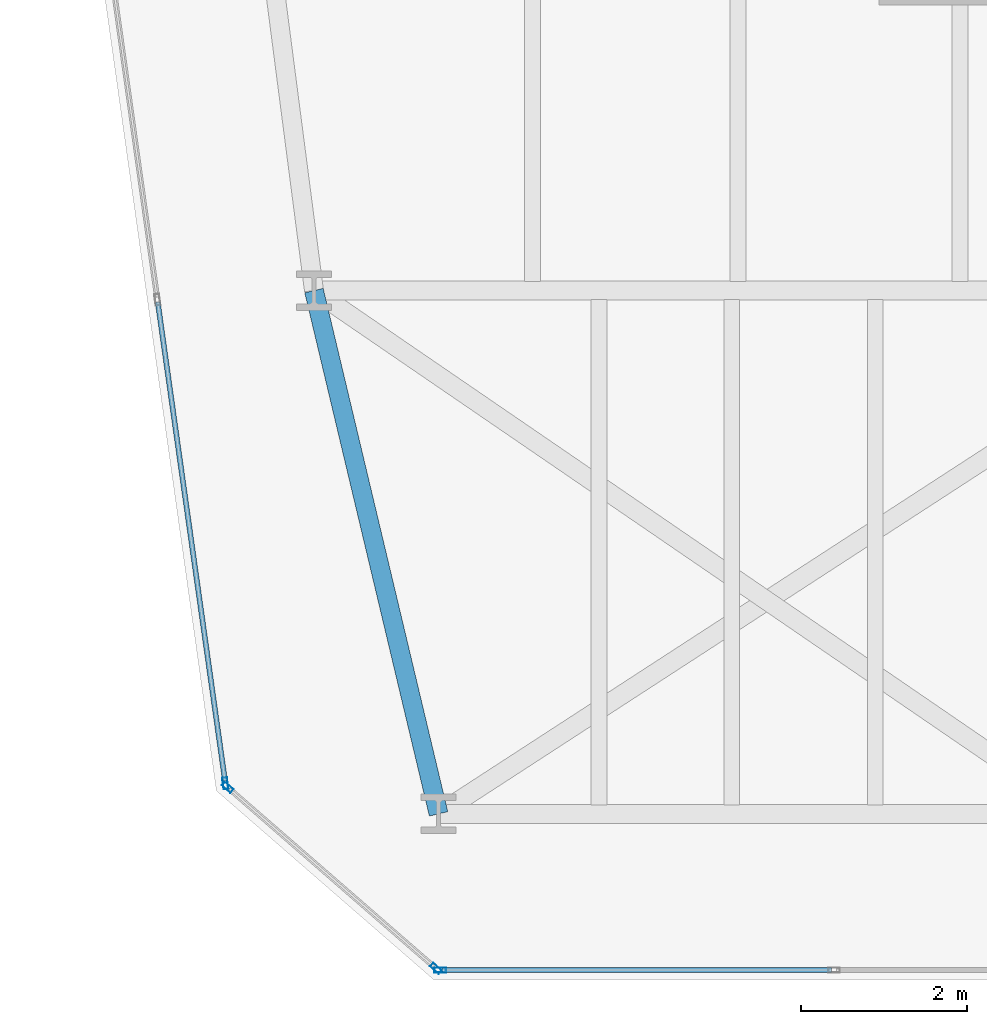
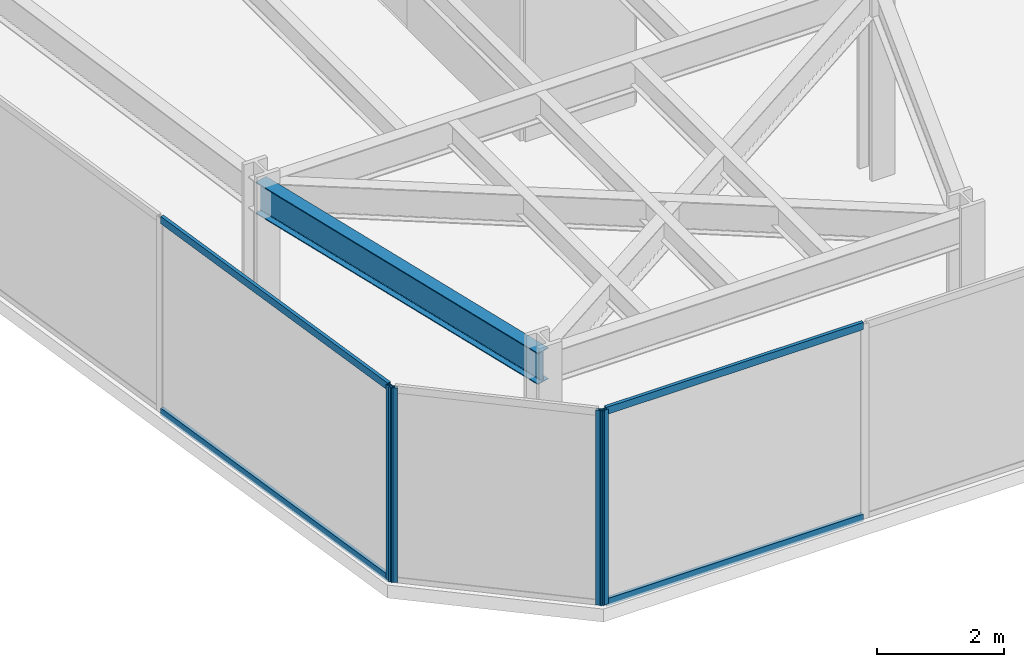
# One storey, part 2 of 26: 8 members, 1 beam, 3 elements without a shape of their own.
"""IFC4 building model written with IfcOpenShell, lengths in metres."""

from ifc_helpers import new_model, si_unit, direction, frame, origin, origin_2d, place, context, subcontext, project, spatial, hollow_rectangle, i_section, extrude, material, layer, layer_set, material_profile, profile_set, type_object, element, aggregate, save


model = new_model("IFC4")

# Units and contexts
model_context = context("Model", 3, precision=1e-05, world=origin(), true_north=direction((0.0, 1.0)))
body_context = subcontext(model_context, "Body", "Model", "MODEL_VIEW")
ifc_project = project(units=[si_unit("LENGTHUNIT", "METRE"), si_unit("AREAUNIT", "SQUARE_METRE"), si_unit("VOLUMEUNIT", "CUBIC_METRE"), si_unit("PLANEANGLEUNIT", "RADIAN"), si_unit("MASSUNIT", "GRAM", prefix="KILO")], contexts=[model_context])

# Site, building, storey
site_placement = place(None, origin())
site = spatial("IfcSite", under=ifc_project, at=site_placement, CompositionType="ELEMENT")
building_placement = place(site_placement, origin())
building = spatial("IfcBuilding", under=site, at=building_placement, Name="Kravanh Interchange Tower", CompositionType="ELEMENT")
storey_placement = place(building_placement, frame((0.0, 0.0, 112.0)))
storey = spatial("IfcBuildingStorey", under=building, at=storey_placement, Name="L26", CompositionType="ELEMENT", Elevation=112.0)

# Curtain wall, member
ifc_material_1 = material(Name="Anodised Bronze Aluminium", Category="aluminium")
ifc_layer = layer(ifc_material_1, 0.179931640625)
ifc_layer_set = layer_set([ifc_layer], Name="Unitised Curtain Wall System CW-Z2 Mid Office")
curtain_wall_type = type_object("IfcCurtainWallType", Name="Unitised Curtain Wall System CW-Z2 Mid Office", PredefinedType="NOTDEFINED", material=ifc_layer_set)
curtain_wall_1_placement = place(storey_placement, origin())
curtain_wall_1 = element("IfcCurtainWall", 1, at=curtain_wall_1_placement, inside=storey, type_object=curtain_wall_type, Name="L26 Unitised Curtain Wall CW-L26-01", PredefinedType="NOTDEFINED")
ifc_material_2 = material(Name="Anodised Bronze Aluminium", Category="aluminium")
ifc_material_profile_1 = material_profile(ifc_material_2, hollow_rectangle(XDim=0.06005859375, YDim=0.139892578125, WallThickness=0.00390625, at=origin_2d()), Name="ALU60X140X4")
ifc_profile_set_1 = profile_set([ifc_material_profile_1], Name="Anodised Bronze Aluminium")
member_type_1 = type_object("IfcMemberType", Name="Curtain Wall Mullion ALU60X140X4 Bronze", PredefinedType="MULLION", material=ifc_profile_set_1)
member_1_placement = place(storey_placement, frame((14.93310546875, 8.568359375, 0.0), z_axis=(0.0, 0.0, 1.0), x_axis=(-0.990268103846, -0.13917285118, 0.0)))
member_1 = element("IfcMember", 2, at=member_1_placement, type_object=member_type_1, Name="CW-Z2 mullion 1", PredefinedType="MULLION", context=body_context, shape_type="SweptSolid", body=[
    extrude(hollow_rectangle(XDim=0.06005859375, YDim=0.139892578125, WallThickness=0.00390625, at=origin_2d()), origin(), (0.0, 0.0, 1.0), 3.75),
])

curtain_wall_2_placement = place(storey_placement, origin())
curtain_wall_2 = element("IfcCurtainWall", 3, at=curtain_wall_2_placement, inside=storey, type_object=curtain_wall_type, Name="L26 Unitised Curtain Wall CW-L26-06", PredefinedType="NOTDEFINED")
member_2_placement = place(storey_placement, frame((17.519775390625, 6.320068359375, 0.0), z_axis=(0.0, 0.0, 1.0), x_axis=(0.0, -1.0, 0.0)))
member_2 = element("IfcMember", 4, at=member_2_placement, type_object=member_type_1, Name="CW-Z2 mullion 3", PredefinedType="MULLION", context=body_context, shape_type="SweptSolid", body=[
    extrude(hollow_rectangle(XDim=0.06005859375, YDim=0.139892578125, WallThickness=0.00390625, at=origin_2d()), origin(), (0.0, 0.0, 1.0), 3.75),
])

# Curtain wall, members
curtain_wall_3_placement = place(storey_placement, origin())
curtain_wall_3 = element("IfcCurtainWall", 5, at=curtain_wall_3_placement, inside=storey, type_object=curtain_wall_type, Name="L26 Unitised Curtain Wall CW-L26-07", PredefinedType="NOTDEFINED")
member_3_placement = place(storey_placement, frame((17.467041015625, 6.339599609375, 0.0), z_axis=(0.0, 0.0, 1.0), x_axis=(-0.656047665617, -0.754719458103, 0.0)))
member_3 = element("IfcMember", 6, at=member_3_placement, type_object=member_type_1, Name="CW-Z2 mullion 1", PredefinedType="MULLION", context=body_context, shape_type="SweptSolid", body=[
    extrude(hollow_rectangle(XDim=0.06005859375, YDim=0.139892578125, WallThickness=0.00390625, at=origin_2d()), origin(), (0.0, 0.0, 1.0), 3.75),
])
member_4_placement = place(storey_placement, frame((14.9599609375, 8.51904296875, 0.0), z_axis=(0.0, 0.0, 1.0), x_axis=(-0.656047665617, -0.754719458103, 0.0)))
member_4 = element("IfcMember", 7, at=member_4_placement, type_object=member_type_1, Name="CW-Z2 mullion 2", PredefinedType="MULLION", context=body_context, shape_type="SweptSolid", body=[
    extrude(hollow_rectangle(XDim=0.06005859375, YDim=0.139892578125, WallThickness=0.00390625, at=origin_2d()), origin(), (0.0, 0.0, 1.0), 3.75),
])
aggregate(curtain_wall_3, [member_3, member_4])

# Member
ifc_material_3 = material(Name="Anodised Bronze Aluminium", Category="aluminium")
ifc_material_profile_2 = material_profile(ifc_material_3, hollow_rectangle(XDim=0.06005859375, YDim=0.139892578125, WallThickness=0.00390625, at=origin_2d()), Name="ALU60X140X4")
ifc_profile_set_2 = profile_set([ifc_material_profile_2], Name="Anodised Bronze Aluminium")
member_type_2 = type_object("IfcMemberType", Name="Curtain Wall Transom ALU60X140X4 Bronze", PredefinedType="USERDEFINED", material=ifc_profile_set_2)
member_5_placement = place(storey_placement, frame((14.928955078125, 8.59814453125, 0.030029296875), z_axis=(-0.139148132783, 0.990271577469, 0.0), x_axis=(-0.990271577469, -0.139148132783, 0.0)))
member_5 = element("IfcMember", 8, at=member_5_placement, type_object=member_type_2, Name="CW-Z2 transom 1.1", ObjectType="TRANSOM", PredefinedType="USERDEFINED", context=body_context, shape_type="SweptSolid", body=[
    extrude(hollow_rectangle(XDim=0.06005859375, YDim=0.139892578125, WallThickness=0.00390625, at=origin_2d()), origin(), (0.0, 0.0, 1.0), 5.81982421875),
])

member_6_placement = place(storey_placement, frame((14.928955078125, 8.59814453125, 3.719970703125), z_axis=(-0.139148132783, 0.990271577469, 0.0), x_axis=(-0.990271577469, -0.139148132783, 0.0)))
member_6 = element("IfcMember", 9, at=member_6_placement, type_object=member_type_2, Name="CW-Z2 transom 1.2", ObjectType="TRANSOM", PredefinedType="USERDEFINED", context=body_context, shape_type="SweptSolid", body=[
    extrude(hollow_rectangle(XDim=0.06005859375, YDim=0.139892578125, WallThickness=0.00390625, at=origin_2d()), origin(), (0.0, 0.0, 1.0), 5.81982421875),
])

aggregate(curtain_wall_1, [member_1, member_5, member_6])

member_7_placement = place(storey_placement, frame((22.232177734375, 6.320068359375, 0.030029296875), z_axis=(-1.0, 0.0, 0.0), x_axis=(0.0, -1.0, 0.0)))
member_7 = element("IfcMember", 10, at=member_7_placement, type_object=member_type_2, Name="CW-Z2 transom 2.1", ObjectType="TRANSOM", PredefinedType="USERDEFINED", context=body_context, shape_type="SweptSolid", body=[
    extrude(hollow_rectangle(XDim=0.06005859375, YDim=0.139892578125, WallThickness=0.00390625, at=origin_2d()), origin(), (0.0, 0.0, 1.0), 4.682373046875),
])

member_8_placement = place(storey_placement, frame((22.232177734375, 6.320068359375, 3.719970703125), z_axis=(-1.0, 0.0, 0.0), x_axis=(0.0, -1.0, 0.0)))
member_8 = element("IfcMember", 11, at=member_8_placement, type_object=member_type_2, Name="CW-Z2 transom 2.2", ObjectType="TRANSOM", PredefinedType="USERDEFINED", context=body_context, shape_type="SweptSolid", body=[
    extrude(hollow_rectangle(XDim=0.06005859375, YDim=0.139892578125, WallThickness=0.00390625, at=origin_2d()), origin(), (0.0, 0.0, 1.0), 4.682373046875),
])

aggregate(curtain_wall_2, [member_2, member_7, member_8])

# Beam
ifc_material_4 = material(Name="Structural Steel S355", Category="steel")
ifc_material_profile_3 = material_profile(ifc_material_4, i_section(OverallWidth=0.22802734375, OverallDepth=0.60791015625, WebThickness=0.01123046875, FlangeThickness=0.017333984375, FilletRadius=0.02197265625, at=origin_2d()), Name="W24X76")
ifc_profile_set_3 = profile_set([ifc_material_profile_3], Name="Structural Steel S355")
beam_type = type_object("IfcBeamType", Name="Floor Spandrel W24X76 Structural Steel S355", PredefinedType="SPANDREL", material=ifc_profile_set_3)
beam_placement = place(storey_placement, frame((17.5, 8.199951171875, 3.446044921875), z_axis=(-0.231618828452, 0.972806619173, 0.0), x_axis=(-0.972806619173, -0.231618828452, 0.0)))
element("IfcBeam", 12, at=beam_placement, inside=storey, type_object=beam_type, Name="L26 Perimeter Spandrel 34", PredefinedType="SPANDREL", context=body_context, shape_type="SweptSolid", body=[
    extrude(i_section(OverallWidth=0.22802734375, OverallDepth=0.60791015625, WebThickness=0.01123046875, FlangeThickness=0.017333984375, FilletRadius=0.02197265625, at=origin_2d()), origin(), (0.0, 0.0, 1.0), 6.47607421875),
])

save(model, "model.ifc")
